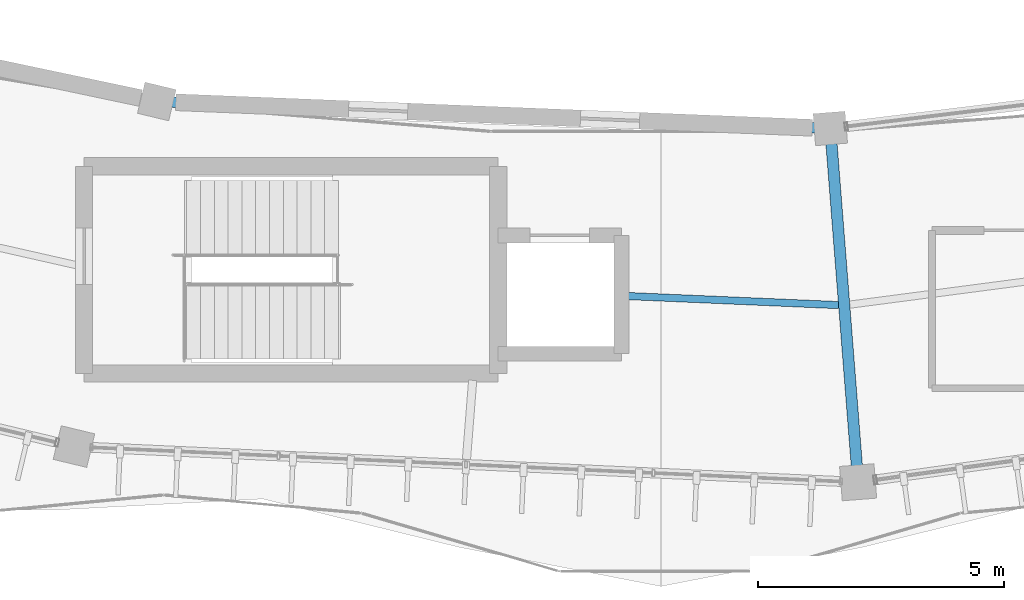
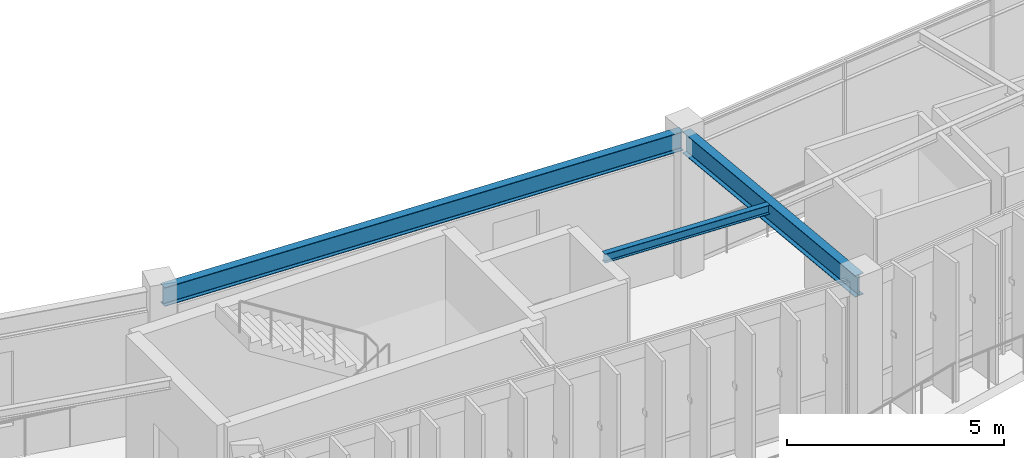
# One storey, part 50 of 138: 3 beams.
"""IFC4 building model written with IfcOpenShell, lengths in metres."""

from ifc_helpers import new_model, si_unit, direction, frame, origin, origin_2d, place, context, subcontext, project, spatial, i_section, extrude, material, material_profile, profile_set, type_object, element, save


model = new_model("IFC4")

# Units and contexts
model_context = context("Model", 3, precision=1e-05, world=origin(), true_north=direction((0.0, 1.0)))
body_context = subcontext(model_context, "Body", "Model", "MODEL_VIEW")
ifc_project = project(units=[si_unit("LENGTHUNIT", "METRE"), si_unit("AREAUNIT", "SQUARE_METRE"), si_unit("VOLUMEUNIT", "CUBIC_METRE"), si_unit("PLANEANGLEUNIT", "RADIAN"), si_unit("MASSUNIT", "GRAM", prefix="KILO"), si_unit("THERMODYNAMICTEMPERATUREUNIT", "KELVIN"), si_unit("POWERUNIT", "WATT")], contexts=[model_context])

# Site, building, storey
site_placement = place(None, origin())
site = spatial("IfcSite", under=ifc_project, at=site_placement, CompositionType="ELEMENT")
building_placement = place(site_placement, origin())
building = spatial("IfcBuilding", under=site, at=building_placement, Name="Darbajah Civic Hall", CompositionType="ELEMENT")
storey_placement = place(building_placement, frame((0.0, 0.0, 9.60009765625)))
storey = spatial("IfcBuildingStorey", under=building, at=storey_placement, Name="L02", CompositionType="ELEMENT", Elevation=9.60009765625)

# Beams
ifc_material = material(Name="Steel S355JR", Category="steel")
ifc_material_profile_1 = material_profile(ifc_material, i_section(OverallWidth=0.146484375, OverallDepth=0.256103515625, WebThickness=0.00634765625, FlangeThickness=0.010986328125, FilletRadius=0.007568359375, at=origin_2d()), Name="UB 254x146x37")
ifc_profile_set_1 = profile_set([ifc_material_profile_1], Name="Steel S355JR")
beam_type_1 = type_object("IfcBeamType", Name="UB 254x146x37", PredefinedType="JOIST", material=ifc_profile_set_1)
beam_1_placement = place(storey_placement, frame((88.419921875, 64.1689453125, 3.7919921875), z_axis=(0.999077737956, -0.042938019518, 0.0), x_axis=(0.042938019518, 0.999077737956, 0.0)))
element("IfcBeam", 1, at=beam_1_placement, inside=storey, type_object=beam_type_1, Name="L02 beam SJ-254", PredefinedType="JOIST", context=body_context, shape_type="SweptSolid", body=[
    extrude(i_section(OverallWidth=0.146484375, OverallDepth=0.256103515625, WebThickness=0.00634765625, FlangeThickness=0.010986328125, FilletRadius=0.007568359375, at=origin_2d()), origin(), (0.0, 0.0, 1.0), 4.287109375),
])
ifc_material_profile_2 = material_profile(ifc_material, i_section(OverallWidth=0.209228515625, OverallDepth=0.533203125, WebThickness=0.010009765625, FlangeThickness=0.015625, FilletRadius=0.0126953125, at=origin_2d()), Name="UB 533x210x92")
ifc_profile_set_2 = profile_set([ifc_material_profile_2], Name="Steel S355JR")
beam_type_2 = type_object("IfcBeamType", Name="UB 533x210x92", PredefinedType="BEAM", material=ifc_profile_set_2)
beam_2_placement = place(storey_placement, frame((78.955078125, 68.113037109375, 3.6533203125), z_axis=(0.999198127678, -0.04003875178, 0.0), x_axis=(0.04003875178, 0.999198127678, 0.0)))
element("IfcBeam", 2, at=beam_2_placement, inside=storey, type_object=beam_type_2, Name="L02 beam SB-533", PredefinedType="BEAM", context=body_context, shape_type="SweptSolid", body=[
    extrude(i_section(OverallWidth=0.209228515625, OverallDepth=0.533203125, WebThickness=0.010009765625, FlangeThickness=0.015625, FilletRadius=0.0126953125, at=origin_2d()), origin(), (0.0, 0.0, 1.0), 13.51220703125),
])
ifc_material_profile_3 = material_profile(ifc_material, i_section(OverallWidth=0.228271484375, OverallDepth=0.607666015625, WebThickness=0.010986328125, FlangeThickness=0.017333984375, FilletRadius=0.0126953125, at=origin_2d()), Name="UB 610x229x113")
ifc_profile_set_3 = profile_set([ifc_material_profile_3], Name="Steel S355JR")
beam_type_3 = type_object("IfcBeamType", Name="UB 610x229x113", PredefinedType="BEAM", material=ifc_profile_set_3)
beam_3_placement = place(storey_placement, frame((92.542724609375, 67.489013671875, 3.6162109375), z_axis=(0.078478466478, -0.996915809033, 0.0), x_axis=(0.996915809033, 0.078478466478, 0.0)))
element("IfcBeam", 3, at=beam_3_placement, inside=storey, type_object=beam_type_3, Name="L02 beam SB-610", PredefinedType="BEAM", context=body_context, shape_type="SweptSolid", body=[
    extrude(i_section(OverallWidth=0.228271484375, OverallDepth=0.607666015625, WebThickness=0.010986328125, FlangeThickness=0.017333984375, FilletRadius=0.0126953125, at=origin_2d()), origin(), (0.0, 0.0, 1.0), 7.0400390625),
])

save(model, "model.ifc")
